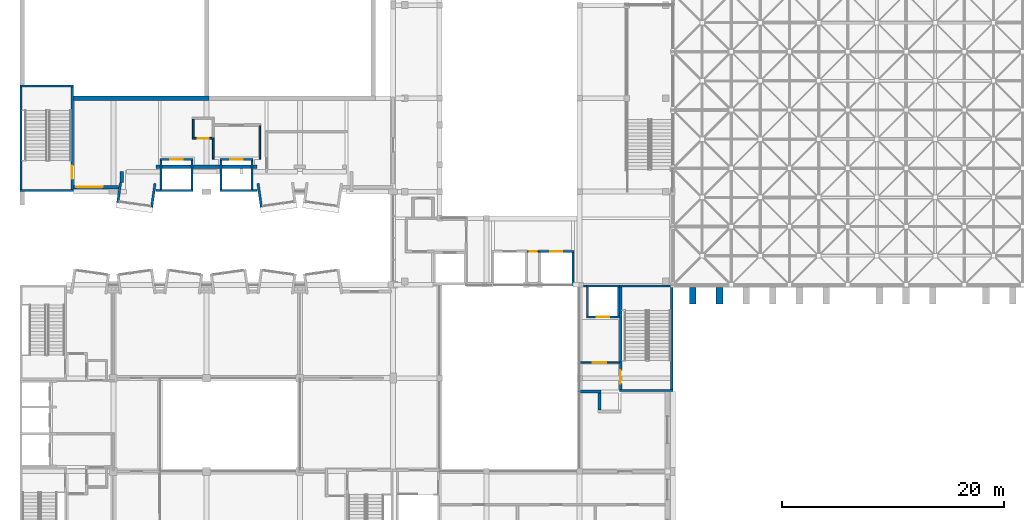
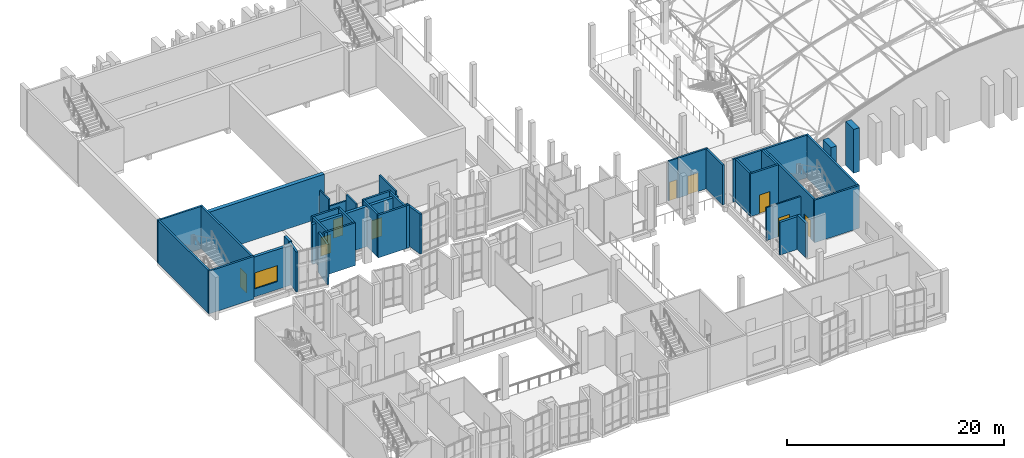
# One storey, part 67 of 100: 42 walls, 9 doors, 1 window, 10 openings.
"""IFC4 building model written with IfcOpenShell, lengths in metres."""

from ifc_helpers import new_model, si_unit, direction, frame, frame_2d, origin, place, context, subcontext, project, spatial, rectangle, extrude, material, layer, layer_set, type_object, element, fill, save


model = new_model("IFC4")

# Units and contexts
model_context = context("Model", 3, precision=1e-05, world=origin(), true_north=direction((0.0, 1.0)))
body_context = subcontext(model_context, "Body", "Model", "MODEL_VIEW")
ifc_project = project(units=[si_unit("LENGTHUNIT", "METRE"), si_unit("AREAUNIT", "SQUARE_METRE"), si_unit("VOLUMEUNIT", "CUBIC_METRE"), si_unit("PLANEANGLEUNIT", "RADIAN"), si_unit("MASSUNIT", "GRAM", prefix="KILO")], contexts=[model_context])

# Site, building, storey
site_placement = place(None, origin())
site = spatial("IfcSite", under=ifc_project, at=site_placement, CompositionType="ELEMENT")
building_placement = place(site_placement, origin())
building = spatial("IfcBuilding", under=site, at=building_placement, Name="Kiln Court Media Centre", CompositionType="ELEMENT")
storey_placement = place(building_placement, frame((0.0, 0.0, 15.0)))
storey = spatial("IfcBuildingStorey", under=building, at=storey_placement, Name="L03", CompositionType="ELEMENT", Elevation=15.0)

# Wall, opening, door
ifc_material_1 = material(Name="Concrete block masonry M7.5", Category="masonry")
ifc_layer_1 = layer(ifc_material_1, 0.14990234375)
ifc_layer_set_1 = layer_set([ifc_layer_1], Name="Block lobby wall 150 EI 120")
wall_type_1 = type_object("IfcWallType", Name="Block lobby wall 150 EI 120", PredefinedType="SOLIDWALL", material=ifc_layer_set_1)
wall_1_placement = place(storey_placement, frame((50.324951171875, 18.199951171875, 0.0), z_axis=(0.0, 0.0, 1.0), x_axis=(1.0, 0.0, 0.0)))
wall_1 = element("IfcWall", 1, at=wall_1_placement, inside=storey, type_object=wall_type_1, Name="L03 block lobby wall", PredefinedType="SOLIDWALL", context=body_context, shape_type="SweptSolid", body=[
    extrude(rectangle(XDim=3.675048828125, YDim=0.14990234375, at=frame_2d((1.83740234375, 0.0))), origin(), (0.0, 0.0, 1.0), 3.699951171875),
])
opening_1_placement = place(wall_1_placement, frame((1.27490234375, 0.0, 0.0)))
opening_1 = element("IfcOpeningElement", 2, at=opening_1_placement, cuts=wall_1, Name="Opening D3033", PredefinedType="OPENING", context=body_context, shape_type="SweptSolid", body=[
    extrude(rectangle(XDim=1.199951171875, YDim=2.10009765625, at=frame_2d((0.60009765625, 1.050048828125))), frame((0.0, 0.0849609375, 0.0), z_axis=(0.0, -1.0, 0.0), x_axis=(1.0, 0.0, 0.0)), (0.0, 0.0, 1.0), 0.169921875),
])
ifc_material_2 = material(Name="Steel S275", Category="steel")
door_type_1 = type_object("IfcDoorType", Name="Steel lobby door 1200 x 2100 FD120", OperationType="SINGLE_SWING_LEFT", PredefinedType="DOOR", material=ifc_material_2)
door_1_placement = place(opening_1_placement, origin())
door_1 = element("IfcDoor", 3, at=door_1_placement, inside=storey, type_object=door_type_1, Name="Stair 5 Lobby / Fire-fighting Lift Lobby", OperationType="SINGLE_SWING_RIGHT", OverallHeight=2.10009765625, OverallWidth=1.199951171875, PredefinedType="DOOR", context=body_context, shape_type="SweptSolid", body=[
    extrude(rectangle(XDim=1.199951171875, YDim=2.10009765625, at=frame_2d((0.60009765625, 1.050048828125))), frame((0.0, 0.02490234375, 0.0), z_axis=(0.0, -1.0, 0.0), x_axis=(1.0, 0.0, 0.0)), (0.0, 0.0, 1.0), 0.050048828125),
])
fill(opening_1, door_1)

# Walls
wall_2_placement = place(storey_placement, frame((17.39990234375, 36.52490234375, 0.0), z_axis=(0.0, 0.0, 1.0), x_axis=(0.0, 1.0, 0.0)))
element("IfcWall", 4, at=wall_2_placement, inside=storey, type_object=wall_type_1, Name="L03 block lobby wall", PredefinedType="SOLIDWALL", context=body_context, shape_type="SweptSolid", body=[
    extrude(rectangle(XDim=1.800048828125, YDim=0.14990234375, at=frame_2d((0.89990234375, 0.0))), origin(), (0.0, 0.0, 1.0), 4.5),
])
wall_3_placement = place(storey_placement, frame((21.60009765625, 36.52490234375, 0.0), z_axis=(0.0, 0.0, 1.0), x_axis=(0.0, 1.0, 0.0)))
element("IfcWall", 5, at=wall_3_placement, inside=storey, type_object=wall_type_1, Name="L03 block lobby wall", PredefinedType="SOLIDWALL", context=body_context, shape_type="SweptSolid", body=[
    extrude(rectangle(XDim=3.0, YDim=0.14990234375, at=frame_2d((1.5, 0.0))), origin(), (0.0, 0.0, 1.0), 4.5),
])

# Wall, opening, door
ifc_material_3 = material(Name="Concrete block masonry M10", Category="masonry")
ifc_layer_2 = layer(ifc_material_3, 0.14990234375)
ifc_layer_set_2 = layer_set([ifc_layer_2], Name="Block riser wall 150 EI 120")
wall_type_2 = type_object("IfcWallType", Name="Block riser wall 150 EI 120", PredefinedType="SOLIDWALL", material=ifc_layer_set_2)
wall_4_placement = place(storey_placement, frame((45.699951171875, 28.199951171875, 0.0), z_axis=(0.0, 0.0, 1.0), x_axis=(1.0, 0.0, 0.0)))
wall_4 = element("IfcWall", 6, at=wall_4_placement, inside=storey, type_object=wall_type_2, Name="L03 block riser wall", PredefinedType="SOLIDWALL", context=body_context, shape_type="SweptSolid", body=[
    extrude(rectangle(XDim=1.0, YDim=0.14990234375, at=frame_2d((0.5, 0.0))), origin(), (0.0, 0.0, 1.0), 4.5),
])
opening_2_placement = place(wall_4_placement, frame((0.10009765625, 0.0, 0.0)))
opening_2 = element("IfcOpeningElement", 7, at=opening_2_placement, cuts=wall_4, Name="Opening D3047", PredefinedType="OPENING", context=body_context, shape_type="SweptSolid", body=[
    extrude(rectangle(XDim=0.800048828125, YDim=2.10009765625, at=frame_2d((0.39990234375, 1.050048828125))), frame((0.0, 0.0849609375, 0.0), z_axis=(0.0, -1.0, 0.0), x_axis=(1.0, 0.0, 0.0)), (0.0, 0.0, 1.0), 0.169921875),
])
ifc_material_4 = material(Name="Steel S275", Category="steel")
door_type_2 = type_object("IfcDoorType", Name="Steel riser door 800 x 2100 FD90", OperationType="SINGLE_SWING_LEFT", PredefinedType="DOOR", material=ifc_material_4)
door_2_placement = place(opening_2_placement, origin())
door_2 = element("IfcDoor", 8, at=door_2_placement, inside=storey, type_object=door_type_2, Name="Riser / Glass Lift Landing", OperationType="SINGLE_SWING_RIGHT", OverallHeight=2.10009765625, OverallWidth=0.800048828125, PredefinedType="DOOR", context=body_context, shape_type="SweptSolid", body=[
    extrude(rectangle(XDim=0.800048828125, YDim=2.10009765625, at=frame_2d((0.39990234375, 1.050048828125))), frame((0.0, 0.02490234375, 0.0), z_axis=(0.0, -1.0, 0.0), x_axis=(1.0, 0.0, 0.0)), (0.0, 0.0, 1.0), 0.050048828125),
])
fill(opening_2, door_2)

# Walls
ifc_material_5 = material(Name="Brick masonry facing leaf with RC backing", Category="masonry")
ifc_layer_3 = layer(ifc_material_5, 0.215087890625)
ifc_layer_set_3 = layer_set([ifc_layer_3], Name="Brick masonry bay cheek wall 215")
wall_type_3 = type_object("IfcWallType", Name="Brick masonry bay cheek wall 215", PredefinedType="SOLIDWALL", material=ifc_layer_set_3)
wall_5_placement = place(storey_placement, frame((9.055908203125, 34.40869140625, 0.0), z_axis=(0.0, 0.0, 1.0), x_axis=(-0.13918000587, -0.990267098295, 0.0)))
element("IfcWall", 9, at=wall_5_placement, inside=storey, type_object=wall_type_3, Name="BAY V4-S-L03-17 cheek L", PredefinedType="SOLIDWALL", context=body_context, shape_type="SweptSolid", body=[
    extrude(rectangle(XDim=1.7998046875, YDim=0.215087890625, at=frame_2d((0.89990234375, 0.0))), origin(), (0.0, 0.0, 1.0), 4.5),
])
wall_6_placement = place(storey_placement, frame((12.162353515625, 34.344970703125, 0.0), z_axis=(0.0, 0.0, 1.0), x_axis=(-0.139120311566, -0.990275486372, 0.0)))
element("IfcWall", 10, at=wall_6_placement, inside=storey, type_object=wall_type_3, Name="BAY V4-S-L03-17 cheek R", PredefinedType="SOLIDWALL", context=body_context, shape_type="SweptSolid", body=[
    extrude(rectangle(XDim=2.1689453125, YDim=0.215087890625, at=frame_2d((1.08447265625, 0.0))), origin(), (0.0, 0.0, 1.0), 4.5),
])
wall_7_placement = place(storey_placement, frame((21.4375, 34.344970703125, 0.0), z_axis=(0.0, 0.0, 1.0), x_axis=(0.139230687381, -0.99025997379, 0.0)))
element("IfcWall", 11, at=wall_7_placement, inside=storey, type_object=wall_type_3, Name="BAY V4-S-L03-20 cheek L", PredefinedType="SOLIDWALL", context=body_context, shape_type="SweptSolid", body=[
    extrude(rectangle(XDim=2.169189453125, YDim=0.215087890625, at=frame_2d((1.08447265625, 0.0))), origin(), (0.0, 0.0, 1.0), 4.5),
])
ifc_material_6 = material(Name="Concrete C40/50", Category="concrete")
ifc_layer_4 = layer(ifc_material_6, 0.39990234375)
ifc_layer_set_4 = layer_set([ifc_layer_4], Name="Concrete C40/50 auditorium wall 400")
wall_type_4 = type_object("IfcWallType", Name="Concrete C40/50 auditorium wall 400", PredefinedType="SHEAR", material=ifc_layer_set_4)
wall_8_placement = place(storey_placement, frame((17.0, 42.0, 0.0), z_axis=(0.0, 0.0, 1.0), x_axis=(-1.0, 0.0, 0.0)))
element("IfcWall", 12, at=wall_8_placement, inside=storey, type_object=wall_type_4, Name="L03-W-1074", PredefinedType="SHEAR", context=body_context, shape_type="SweptSolid", body=[
    extrude(rectangle(XDim=12.199951171875, YDim=0.39990234375, at=frame_2d((6.10009765625, 0.0))), origin(), (0.0, 0.0, 1.0), 4.800048828125),
])

# Wall, opening, window
ifc_material_7 = material(Name="Concrete C40/50", Category="concrete")
ifc_layer_5 = layer(ifc_material_7, 0.300048828125)
ifc_layer_set_5 = layer_set([ifc_layer_5], Name="Concrete C40/50 board-marked facade wall 300")
wall_type_5 = type_object("IfcWallType", Name="Concrete C40/50 board-marked facade wall 300", PredefinedType="SOLIDWALL", material=ifc_layer_set_5)
wall_9_placement = place(storey_placement, frame((8.869384765625, 34.0, 0.0), z_axis=(0.0, 0.0, 1.0), x_axis=(-1.0, 0.0, 0.0)))
wall_9 = element("IfcWall", 13, at=wall_9_placement, inside=storey, type_object=wall_type_5, Name="V4 S facade wall 4000", PredefinedType="SOLIDWALL", context=body_context, shape_type="SweptSolid", body=[
    extrude(rectangle(XDim=4.0693359375, YDim=0.300048828125, at=frame_2d((2.03466796875, 0.0))), origin(), (0.0, 0.0, 1.0), 4.5),
])
opening_3_placement = place(wall_9_placement, frame((1.4111328125, 0.0, 0.89990234375)))
opening_3 = element("IfcOpeningElement", 14, at=opening_3_placement, cuts=wall_9, Name="Opening WN3500", PredefinedType="OPENING", context=body_context, shape_type="SweptSolid", body=[
    extrude(rectangle(XDim=2.39990234375, YDim=1.800048828125, at=frame_2d((1.199951171875, 0.89990234375))), frame((0.0, 0.159912109375, 0.0), z_axis=(0.0, -1.0, 0.0), x_axis=(1.0, 0.0, 0.0)), (0.0, 0.0, 1.0), 0.320068359375),
])
ifc_material_8 = material(Name="Aluminium 6063-T6", Category="aluminium")
window_type = type_object("IfcWindowType", Name="Aluminium lobby window 2400x1800", PartitioningType="TRIPLE_PANEL_VERTICAL", PredefinedType="WINDOW", material=ifc_material_8)
window_placement = place(opening_3_placement, origin())
window = element("IfcWindow", 15, at=window_placement, inside=storey, type_object=window_type, Name="V4 S lounge window", OverallHeight=1.800048828125, OverallWidth=2.39990234375, PartitioningType="SINGLE_PANEL", PredefinedType="WINDOW", context=body_context, shape_type="SweptSolid", body=[
    extrude(rectangle(XDim=2.39990234375, YDim=1.800048828125, at=frame_2d((1.199951171875, 0.89990234375))), frame((0.0, 0.030029296875, 0.0), z_axis=(0.0, -1.0, 0.0), x_axis=(1.0, 0.0, 0.0)), (0.0, 0.0, 1.0), 0.06005859375),
])
fill(opening_3, window)

# Walls
wall_10_placement = place(storey_placement, frame((9.14990234375, 35.39990234375, 0.0), z_axis=(0.0, 0.0, 1.0), x_axis=(0.0, -1.0, 0.0)))
element("IfcWall", 16, at=wall_10_placement, inside=storey, type_object=wall_type_5, Name="V4 E facade wall 4001", PredefinedType="SOLIDWALL", context=body_context, shape_type="SweptSolid", body=[
    extrude(rectangle(XDim=0.983642578125, YDim=0.300048828125, at=frame_2d((0.49169921875, 0.0))), origin(), (0.0, 0.0, 1.0), 4.5),
])
wall_11_placement = place(storey_placement, frame((21.3564453125, 35.85009765625, 0.0), z_axis=(0.0, 0.0, 1.0), x_axis=(-1.0, 0.0, 0.0)))
element("IfcWall", 17, at=wall_11_placement, inside=storey, type_object=wall_type_5, Name="V4 S facade wall 4002", PredefinedType="SOLIDWALL", context=body_context, shape_type="SweptSolid", body=[
    extrude(rectangle(XDim=9.113037109375, YDim=0.300048828125, at=frame_2d((4.556640625, 0.0))), origin(), (0.0, 0.0, 1.0), 4.5),
])
ifc_material_9 = material(Name="Concrete C40/50", Category="concrete")
ifc_layer_6 = layer(ifc_material_9, 0.60009765625)
ifc_layer_set_6 = layer_set([ifc_layer_6], Name="Concrete C40/50 cast rib 600x1500")
wall_type_6 = type_object("IfcWallType", Name="Concrete C40/50 cast rib 600x1500", PredefinedType="SOLIDWALL", material=ifc_layer_set_6)
wall_12_placement = place(storey_placement, frame((60.60009765625, 24.9736328125, 0.0), z_axis=(0.0, 0.0, 1.0), x_axis=(0.0, -1.0, 0.0)))
element("IfcWall", 18, at=wall_12_placement, inside=storey, type_object=wall_type_6, Name="V1 S gable rib", PredefinedType="SOLIDWALL", context=body_context, shape_type="SweptSolid", body=[
    extrude(rectangle(XDim=1.5, YDim=0.60009765625, at=frame_2d((0.75, 0.0))), origin(), (0.0, 0.0, 1.0), 3.72998046875),
])
wall_13_placement = place(storey_placement, frame((63.0, 24.9736328125, 0.0), z_axis=(0.0, 0.0, 1.0), x_axis=(0.0, -1.0, 0.0)))
element("IfcWall", 19, at=wall_13_placement, inside=storey, type_object=wall_type_6, Name="V1 S gable rib", PredefinedType="SOLIDWALL", context=body_context, shape_type="SweptSolid", body=[
    extrude(rectangle(XDim=1.5, YDim=0.60009765625, at=frame_2d((0.75, 0.0))), origin(), (0.0, 0.0, 1.0), 4.929931640625),
])

# Wall, opening, door
ifc_material_10 = material(Name="Concrete C40/50", Category="concrete")
ifc_layer_7 = layer(ifc_material_10, 0.199951171875)
ifc_layer_set_7 = layer_set([ifc_layer_7], Name="Concrete C40/50 lift shaft wall 200 EI 240")
wall_type_7 = type_object("IfcWallType", Name="Concrete C40/50 lift shaft wall 200 EI 240", PredefinedType="SHEAR", material=ifc_layer_set_7)
wall_14_placement = place(storey_placement, frame((46.699951171875, 28.199951171875, 0.0), z_axis=(0.0, 0.0, 1.0), x_axis=(1.0, 0.0, 0.0)))
wall_14 = element("IfcWall", 20, at=wall_14_placement, inside=storey, type_object=wall_type_7, Name="L03 concrete c40/50 lift shaft wall", PredefinedType="SHEAR", context=body_context, shape_type="SweptSolid", body=[
    extrude(rectangle(XDim=3.199951171875, YDim=0.199951171875, at=frame_2d((1.60009765625, 0.0))), origin(), (0.0, 0.0, 1.0), 4.5),
])
opening_4_placement = place(wall_14_placement, frame((1.050048828125, 0.0, 0.0)))
opening_4 = element("IfcOpeningElement", 21, at=opening_4_placement, cuts=wall_14, Name="Opening LD308", PredefinedType="OPENING", context=body_context, shape_type="SweptSolid", body=[
    extrude(rectangle(XDim=1.10009765625, YDim=2.10009765625, at=frame_2d((0.550048828125, 1.050048828125))), frame((0.0, 0.10986328125, 0.0), z_axis=(0.0, -1.0, 0.0), x_axis=(1.0, 0.0, 0.0)), (0.0, 0.0, 1.0), 0.219970703125),
])
ifc_material_11 = material(Name="Stainless steel", Category="steel")
door_type_3 = type_object("IfcDoorType", Name="Lift landing door 1100 x 2100 FD120", OperationType="SLIDING_TO_LEFT", PredefinedType="DOOR", material=ifc_material_11)
door_3_placement = place(opening_4_placement, origin())
door_3 = element("IfcDoor", 22, at=door_3_placement, inside=storey, type_object=door_type_3, Name="LF-08 landing door L03", OperationType="SLIDING_TO_LEFT", OverallHeight=2.10009765625, OverallWidth=1.10009765625, PredefinedType="DOOR", context=body_context, shape_type="SweptSolid", body=[
    extrude(rectangle(XDim=1.10009765625, YDim=2.10009765625, at=frame_2d((0.550048828125, 1.050048828125))), frame((0.0, 0.02490234375, 0.0), z_axis=(0.0, -1.0, 0.0), x_axis=(1.0, 0.0, 0.0)), (0.0, 0.0, 1.0), 0.050048828125),
])
fill(opening_4, door_3)

# Walls
wall_15_placement = place(storey_placement, frame((49.800048828125, 25.10009765625, 0.0), z_axis=(0.0, 0.0, 1.0), x_axis=(0.0, 1.0, 0.0)))
element("IfcWall", 23, at=wall_15_placement, inside=storey, type_object=wall_type_7, Name="L03 concrete c40/50 lift shaft wall", PredefinedType="SHEAR", context=body_context, shape_type="SweptSolid", body=[
    extrude(rectangle(XDim=3.0, YDim=0.199951171875, at=frame_2d((1.5, 0.0))), origin(), (0.0, 0.0, 1.0), 4.5),
])
ifc_material_12 = material(Name="Concrete C40/50", Category="concrete")
ifc_layer_8 = layer(ifc_material_12, 0.199951171875)
ifc_layer_set_8 = layer_set([ifc_layer_8], Name="Concrete C40/50 shear wall 200")
wall_type_8 = type_object("IfcWallType", Name="Concrete C40/50 shear wall 200", PredefinedType="SHEAR", material=ifc_layer_set_8)
for number, where, z_axis, x_axis, name in (
    (24, (58.800048828125, 15.699951171875, 0.0), (0.0, 0.0, 1.0), (-1.0, 0.0, 0.0), "L03-W-1016"),
    (25, (54.0, 25.10009765625, 0.0), (0.0, 0.0, 1.0), (1.0, 0.0, 0.0), "L03-W-1017"),
):
    element("IfcWall", number, at=place(storey_placement, frame(where, z_axis=z_axis, x_axis=x_axis)), inside=storey, type_object=wall_type_8, Name=name, PredefinedType="SHEAR", context=body_context, shape_type="SweptSolid", body=[
        extrude(rectangle(XDim=4.800048828125, YDim=0.199951171875, at=frame_2d((2.39990234375, 0.0))), origin(), (0.0, 0.0, 1.0), 4.800048828125),
    ])

# Wall, opening, door
wall_16_placement = place(storey_placement, frame((54.10009765625, 15.800048828125, 0.0), z_axis=(0.0, 0.0, 1.0), x_axis=(0.0, 1.0, 0.0)))
wall_16 = element("IfcWall", 26, at=wall_16_placement, inside=storey, type_object=wall_type_8, Name="L03-W-1018", PredefinedType="SHEAR", context=body_context, shape_type="SweptSolid", body=[
    extrude(rectangle(XDim=9.199951171875, YDim=0.199951171875, at=frame_2d((4.60009765625, 0.0))), origin(), (0.0, 0.0, 1.0), 4.800048828125),
])
opening_5_placement = place(wall_16_placement, frame((0.5, 0.0, 0.0)))
opening_5 = element("IfcOpeningElement", 27, at=opening_5_placement, cuts=wall_16, Name="Opening D3012", PredefinedType="OPENING", context=body_context, shape_type="SweptSolid", body=[
    extrude(rectangle(XDim=1.199951171875, YDim=2.10009765625, at=frame_2d((0.60009765625, 1.050048828125))), frame((0.0, 0.10986328125, 0.0), z_axis=(0.0, -1.0, 0.0), x_axis=(1.0, 0.0, 0.0)), (0.0, 0.0, 1.0), 0.219970703125),
])
ifc_material_13 = material(Name="Steel S275", Category="steel")
door_type_4 = type_object("IfcDoorType", Name="Steel stair door 1200 x 2100 FD180", OperationType="SINGLE_SWING_LEFT", PredefinedType="DOOR", material=ifc_material_13)
door_4_placement = place(opening_5_placement, origin())
door_4 = element("IfcDoor", 28, at=door_4_placement, inside=storey, type_object=door_type_4, Name="Stair 5 Lobby / Stair 5", OperationType="SINGLE_SWING_LEFT", OverallHeight=2.10009765625, OverallWidth=1.199951171875, PredefinedType="DOOR", context=body_context, shape_type="SweptSolid", body=[
    extrude(rectangle(XDim=1.199951171875, YDim=2.10009765625, at=frame_2d((0.60009765625, 1.050048828125))), frame((0.0, 0.02490234375, 0.0), z_axis=(0.0, -1.0, 0.0), x_axis=(1.0, 0.0, 0.0)), (0.0, 0.0, 1.0), 0.050048828125),
])
fill(opening_5, door_4)

# Walls
wall_17_placement = place(storey_placement, frame((58.699951171875, 25.0, 0.0), z_axis=(0.0, 0.0, 1.0), x_axis=(0.0, -1.0, 0.0)))
element("IfcWall", 29, at=wall_17_placement, inside=storey, type_object=wall_type_8, Name="L03-W-1019", PredefinedType="SHEAR", context=body_context, shape_type="SweptSolid", body=[
    extrude(rectangle(XDim=9.199951171875, YDim=0.199951171875, at=frame_2d((4.60009765625, 0.0))), origin(), (0.0, 0.0, 1.0), 4.800048828125),
])
for number, where, z_axis, x_axis, name in (
    (30, (4.800048828125, 33.699951171875, 0.0), (0.0, 0.0, 1.0), (-1.0, 0.0, 0.0), "L03-W-1020"),
    (31, (0.00048828125, 43.10009765625, 0.0), (0.0, 0.0, 1.0), (1.0, 0.0, 0.0), "L03-W-1021"),
):
    element("IfcWall", number, at=place(storey_placement, frame(where, z_axis=z_axis, x_axis=x_axis)), inside=storey, type_object=wall_type_8, Name=name, PredefinedType="SHEAR", context=body_context, shape_type="SweptSolid", body=[
        extrude(rectangle(XDim=4.799560546875, YDim=0.199951171875, at=frame_2d((2.39990234375, 0.0))), origin(), (0.0, 0.0, 1.0), 4.800048828125),
    ])
wall_18_placement = place(storey_placement, frame((0.100341796875, 33.800048828125, 0.0), z_axis=(0.0, 0.0, 1.0), x_axis=(0.0, 1.0, 0.0)))
element("IfcWall", 32, at=wall_18_placement, inside=storey, type_object=wall_type_8, Name="L03-W-1022", PredefinedType="SHEAR", context=body_context, shape_type="SweptSolid", body=[
    extrude(rectangle(XDim=9.199951171875, YDim=0.199951171875, at=frame_2d((4.60009765625, 0.0))), origin(), (0.0, 0.0, 1.0), 4.800048828125),
])

# Wall, opening, door
wall_19_placement = place(storey_placement, frame((4.699951171875, 43.0, 0.0), z_axis=(0.0, 0.0, 1.0), x_axis=(0.0, -1.0, 0.0)))
wall_19 = element("IfcWall", 33, at=wall_19_placement, inside=storey, type_object=wall_type_8, Name="L03-W-1023", PredefinedType="SHEAR", context=body_context, shape_type="SweptSolid", body=[
    extrude(rectangle(XDim=9.199951171875, YDim=0.199951171875, at=frame_2d((4.60009765625, 0.0))), origin(), (0.0, 0.0, 1.0), 4.800048828125),
])
opening_6_placement = place(wall_19_placement, frame((7.050048828125, 0.0, 0.0)))
opening_6 = element("IfcOpeningElement", 34, at=opening_6_placement, cuts=wall_19, Name="Opening D3001", PredefinedType="OPENING", context=body_context, shape_type="SweptSolid", body=[
    extrude(rectangle(XDim=1.199951171875, YDim=2.10009765625, at=frame_2d((0.60009765625, 1.050048828125))), frame((0.0, 0.10986328125, 0.0), z_axis=(0.0, -1.0, 0.0), x_axis=(1.0, 0.0, 0.0)), (0.0, 0.0, 1.0), 0.219970703125),
])
door_5_placement = place(opening_6_placement, origin())
door_5 = element("IfcDoor", 35, at=door_5_placement, inside=storey, type_object=door_type_4, Name="Stair 6 / Cinema Lounge", OperationType="SINGLE_SWING_LEFT", OverallHeight=2.10009765625, OverallWidth=1.199951171875, PredefinedType="DOOR", context=body_context, shape_type="SweptSolid", body=[
    extrude(rectangle(XDim=1.199951171875, YDim=2.10009765625, at=frame_2d((0.60009765625, 1.050048828125))), frame((0.0, 0.02490234375, 0.0), z_axis=(0.0, -1.0, 0.0), x_axis=(1.0, 0.0, 0.0)), (0.0, 0.0, 1.0), 0.050048828125),
])
fill(opening_6, door_5)

wall_20_placement = place(storey_placement, frame((54.0, 22.300048828125, 0.0), z_axis=(0.0, 0.0, 1.0), x_axis=(-1.0, 0.0, 0.0)))
wall_20 = element("IfcWall", 36, at=wall_20_placement, inside=storey, type_object=wall_type_8, Name="L03-W-1050", PredefinedType="SHEAR", context=body_context, shape_type="SweptSolid", body=[
    extrude(rectangle(XDim=3.0, YDim=0.199951171875, at=frame_2d((1.5, 0.0))), origin(), (0.0, 0.0, 1.0), 4.800048828125),
])
opening_7_placement = place(wall_20_placement, frame((0.949951171875, 0.0, 0.0)))
opening_7 = element("IfcOpeningElement", 37, at=opening_7_placement, cuts=wall_20, Name="Opening LD304", PredefinedType="OPENING", context=body_context, shape_type="SweptSolid", body=[
    extrude(rectangle(XDim=1.10009765625, YDim=2.10009765625, at=frame_2d((0.550048828125, 1.050048828125))), frame((0.0, 0.10986328125, 0.0), z_axis=(0.0, -1.0, 0.0), x_axis=(1.0, 0.0, 0.0)), (0.0, 0.0, 1.0), 0.219970703125),
])
ifc_material_14 = material(Name="Stainless steel", Category="steel")
door_type_5 = type_object("IfcDoorType", Name="Firefighting lift landing door 1100 x 2100 FD120", OperationType="SLIDING_TO_LEFT", PredefinedType="DOOR", material=ifc_material_14)
door_6_placement = place(opening_7_placement, origin())
door_6 = element("IfcDoor", 38, at=door_6_placement, inside=storey, type_object=door_type_5, Name="LF-04 landing door L03", OperationType="SLIDING_TO_LEFT", OverallHeight=2.10009765625, OverallWidth=1.10009765625, PredefinedType="DOOR", context=body_context, shape_type="SweptSolid", body=[
    extrude(rectangle(XDim=1.10009765625, YDim=2.10009765625, at=frame_2d((0.550048828125, 1.050048828125))), frame((0.0, 0.02490234375, 0.0), z_axis=(0.0, -1.0, 0.0), x_axis=(1.0, 0.0, 0.0)), (0.0, 0.0, 1.0), 0.050048828125),
])
fill(opening_7, door_6)

# Walls
wall_21_placement = place(storey_placement, frame((51.0, 25.10009765625, 0.0), z_axis=(0.0, 0.0, 1.0), x_axis=(1.0, 0.0, 0.0)))
element("IfcWall", 39, at=wall_21_placement, inside=storey, type_object=wall_type_8, Name="L03-W-1051", PredefinedType="SHEAR", context=body_context, shape_type="SweptSolid", body=[
    extrude(rectangle(XDim=3.0, YDim=0.199951171875, at=frame_2d((1.5, 0.0))), origin(), (0.0, 0.0, 1.0), 4.800048828125),
])
for number, where, z_axis, x_axis, name in (
    (40, (51.10009765625, 22.39990234375, 0.0), (0.0, 0.0, 1.0), (0.0, 1.0, 0.0), "L03-W-1052"),
    (41, (53.89990234375, 25.0, 0.0), (0.0, 0.0, 1.0), (0.0, -1.0, 0.0), "L03-W-1053"),
):
    element("IfcWall", number, at=place(storey_placement, frame(where, z_axis=z_axis, x_axis=x_axis)), inside=storey, type_object=wall_type_8, Name=name, PredefinedType="SHEAR", context=body_context, shape_type="SweptSolid", body=[
        extrude(rectangle(XDim=2.60009765625, YDim=0.199951171875, at=frame_2d((1.300048828125, 0.0))), origin(), (0.0, 0.0, 1.0), 4.800048828125),
    ])
wall_22_placement = place(storey_placement, frame((15.60009765625, 33.699951171875, 0.0), z_axis=(0.0, 0.0, 1.0), x_axis=(-1.0, 0.0, 0.0)))
element("IfcWall", 42, at=wall_22_placement, inside=storey, type_object=wall_type_8, Name="L03-W-1054", PredefinedType="SHEAR", context=body_context, shape_type="SweptSolid", body=[
    extrude(rectangle(XDim=3.0, YDim=0.199951171875, at=frame_2d((1.5, 0.0))), origin(), (0.0, 0.0, 1.0), 4.800048828125),
])

# Wall, opening, door
wall_23_placement = place(storey_placement, frame((12.60009765625, 36.5, 0.0), z_axis=(0.0, 0.0, 1.0), x_axis=(1.0, 0.0, 0.0)))
wall_23 = element("IfcWall", 43, at=wall_23_placement, inside=storey, type_object=wall_type_8, Name="L03-W-1055", PredefinedType="SHEAR", context=body_context, shape_type="SweptSolid", body=[
    extrude(rectangle(XDim=3.0, YDim=0.199951171875, at=frame_2d((1.5, 0.0))), origin(), (0.0, 0.0, 1.0), 4.800048828125),
])
opening_8_placement = place(wall_23_placement, frame((0.949951171875, 0.0, 0.0)))
opening_8 = element("IfcOpeningElement", 44, at=opening_8_placement, cuts=wall_23, Name="Opening LD305", PredefinedType="OPENING", context=body_context, shape_type="SweptSolid", body=[
    extrude(rectangle(XDim=1.10009765625, YDim=2.10009765625, at=frame_2d((0.550048828125, 1.050048828125))), frame((0.0, 0.10986328125, 0.0), z_axis=(0.0, -1.0, 0.0), x_axis=(1.0, 0.0, 0.0)), (0.0, 0.0, 1.0), 0.219970703125),
])
door_7_placement = place(opening_8_placement, origin())
door_7 = element("IfcDoor", 45, at=door_7_placement, inside=storey, type_object=door_type_3, Name="LF-05 landing door L03", OperationType="SLIDING_TO_LEFT", OverallHeight=2.10009765625, OverallWidth=1.10009765625, PredefinedType="DOOR", context=body_context, shape_type="SweptSolid", body=[
    extrude(rectangle(XDim=1.10009765625, YDim=2.10009765625, at=frame_2d((0.550048828125, 1.050048828125))), frame((0.0, 0.02490234375, 0.0), z_axis=(0.0, -1.0, 0.0), x_axis=(1.0, 0.0, 0.0)), (0.0, 0.0, 1.0), 0.050048828125),
])
fill(opening_8, door_7)

# Walls
for number, where, z_axis, x_axis, name in (
    (46, (12.699951171875, 33.800048828125, 0.0), (0.0, 0.0, 1.0), (0.0, 1.0, 0.0), "L03-W-1056"),
    (47, (15.5, 36.39990234375, 0.0), (0.0, 0.0, 1.0), (0.0, -1.0, 0.0), "L03-W-1057"),
):
    element("IfcWall", number, at=place(storey_placement, frame(where, z_axis=z_axis, x_axis=x_axis)), inside=storey, type_object=wall_type_8, Name=name, PredefinedType="SHEAR", context=body_context, shape_type="SweptSolid", body=[
        extrude(rectangle(XDim=2.599853515625, YDim=0.199951171875, at=frame_2d((1.2998046875, 0.0))), origin(), (0.0, 0.0, 1.0), 4.800048828125),
    ])
wall_24_placement = place(storey_placement, frame((21.0, 33.699951171875, 0.0), z_axis=(0.0, 0.0, 1.0), x_axis=(-1.0, 0.0, 0.0)))
element("IfcWall", 48, at=wall_24_placement, inside=storey, type_object=wall_type_8, Name="L03-W-1058", PredefinedType="SHEAR", context=body_context, shape_type="SweptSolid", body=[
    extrude(rectangle(XDim=3.0, YDim=0.199951171875, at=frame_2d((1.5, 0.0))), origin(), (0.0, 0.0, 1.0), 4.800048828125),
])

# Wall, opening, door
wall_25_placement = place(storey_placement, frame((18.0, 36.5, 0.0), z_axis=(0.0, 0.0, 1.0), x_axis=(1.0, 0.0, 0.0)))
wall_25 = element("IfcWall", 49, at=wall_25_placement, inside=storey, type_object=wall_type_8, Name="L03-W-1059", PredefinedType="SHEAR", context=body_context, shape_type="SweptSolid", body=[
    extrude(rectangle(XDim=3.0, YDim=0.199951171875, at=frame_2d((1.5, 0.0))), origin(), (0.0, 0.0, 1.0), 4.800048828125),
])
opening_9_placement = place(wall_25_placement, frame((0.949951171875, 0.0, 0.0)))
opening_9 = element("IfcOpeningElement", 50, at=opening_9_placement, cuts=wall_25, Name="Opening LD306", PredefinedType="OPENING", context=body_context, shape_type="SweptSolid", body=[
    extrude(rectangle(XDim=1.10009765625, YDim=2.10009765625, at=frame_2d((0.550048828125, 1.050048828125))), frame((0.0, 0.10986328125, 0.0), z_axis=(0.0, -1.0, 0.0), x_axis=(1.0, 0.0, 0.0)), (0.0, 0.0, 1.0), 0.219970703125),
])
door_8_placement = place(opening_9_placement, origin())
door_8 = element("IfcDoor", 51, at=door_8_placement, inside=storey, type_object=door_type_5, Name="LF-06 landing door L03", OperationType="SLIDING_TO_LEFT", OverallHeight=2.10009765625, OverallWidth=1.10009765625, PredefinedType="DOOR", context=body_context, shape_type="SweptSolid", body=[
    extrude(rectangle(XDim=1.10009765625, YDim=2.10009765625, at=frame_2d((0.550048828125, 1.050048828125))), frame((0.0, 0.02490234375, 0.0), z_axis=(0.0, -1.0, 0.0), x_axis=(1.0, 0.0, 0.0)), (0.0, 0.0, 1.0), 0.050048828125),
])
fill(opening_9, door_8)

# Walls
for number, where, z_axis, x_axis, name in (
    (52, (18.10009765625, 33.800048828125, 0.0), (0.0, 0.0, 1.0), (0.0, 1.0, 0.0), "L03-W-1060"),
    (53, (20.89990234375, 36.39990234375, 0.0), (0.0, 0.0, 1.0), (0.0, -1.0, 0.0), "L03-W-1061"),
):
    element("IfcWall", number, at=place(storey_placement, frame(where, z_axis=z_axis, x_axis=x_axis)), inside=storey, type_object=wall_type_8, Name=name, PredefinedType="SHEAR", context=body_context, shape_type="SweptSolid", body=[
        extrude(rectangle(XDim=2.599853515625, YDim=0.199951171875, at=frame_2d((1.2998046875, 0.0))), origin(), (0.0, 0.0, 1.0), 4.800048828125),
    ])
wall_26_placement = place(storey_placement, frame((12.60009765625, 33.699951171875, 0.0), z_axis=(0.0, 0.0, 1.0), x_axis=(-1.0, 0.0, 0.0)))
element("IfcWall", 54, at=wall_26_placement, inside=storey, type_object=wall_type_8, Name="L03-W-1089", PredefinedType="SHEAR", context=body_context, shape_type="SweptSolid", body=[
    extrude(rectangle(XDim=0.333984375, YDim=0.199951171875, at=frame_2d((0.1669921875, 0.0))), origin(), (0.0, 0.0, 1.0), 4.800048828125),
])
wall_27_placement = place(storey_placement, frame((21.333740234375, 33.699951171875, 0.0), z_axis=(0.0, 0.0, 1.0), x_axis=(-1.0, 0.0, 0.0)))
element("IfcWall", 55, at=wall_27_placement, inside=storey, type_object=wall_type_8, Name="L03-W-1090", PredefinedType="SHEAR", context=body_context, shape_type="SweptSolid", body=[
    extrude(rectangle(XDim=0.333740234375, YDim=0.199951171875, at=frame_2d((0.1669921875, 0.0))), origin(), (0.0, 0.0, 1.0), 4.800048828125),
])
wall_28_placement = place(storey_placement, frame((50.75, 25.10009765625, 0.0), z_axis=(0.0, 0.0, 1.0), x_axis=(1.0, 0.0, 0.0)))
element("IfcWall", 56, at=wall_28_placement, inside=storey, type_object=wall_type_8, Name="L03-W-1097", PredefinedType="SHEAR", context=body_context, shape_type="SweptSolid", body=[
    extrude(rectangle(XDim=0.25, YDim=0.199951171875, at=frame_2d((0.125, 0.0))), origin(), (0.0, 0.0, 1.0), 4.800048828125),
])
ifc_material_15 = material(Name="Gypsum plasterboard", Category="gypsum")
ifc_layer_9 = layer(ifc_material_15, 0.25)
ifc_layer_set_9 = layer_set([ifc_layer_9], Name="Double-leaf acoustic wall 250 EI 120")
wall_type_9 = type_object("IfcWallType", Name="Double-leaf acoustic wall 250 EI 120", PredefinedType="PARTITIONING", material=ifc_layer_set_9)
wall_29_placement = place(storey_placement, frame((50.27490234375, 15.60009765625, 0.0), z_axis=(0.0, 0.0, 1.0), x_axis=(1.0, 0.0, 0.0)))
element("IfcWall", 57, at=wall_29_placement, inside=storey, type_object=wall_type_9, Name="L03 double-leaf acoustic wall", PredefinedType="PARTITIONING", context=body_context, shape_type="SweptSolid", body=[
    extrude(rectangle(XDim=2.050048828125, YDim=0.25, at=frame_2d((1.02490234375, 0.0))), origin(), (0.0, 0.0, 1.0), 3.699951171875),
])
wall_30_placement = place(storey_placement, frame((52.199951171875, 13.925048828125, 0.0), z_axis=(0.0, 0.0, 1.0), x_axis=(0.0, 1.0, 0.0)))
element("IfcWall", 58, at=wall_30_placement, inside=storey, type_object=wall_type_9, Name="L03 double-leaf acoustic wall", PredefinedType="PARTITIONING", context=body_context, shape_type="SweptSolid", body=[
    extrude(rectangle(XDim=1.550048828125, YDim=0.25, at=frame_2d((0.77490234375, 0.0))), origin(), (0.0, 0.0, 1.0), 3.89990234375),
])

# Wall, opening, door
ifc_material_16 = material(Name="Gypsum plasterboard", Category="gypsum")
ifc_layer_10 = layer(ifc_material_16, 0.14990234375)
ifc_layer_set_10 = layer_set([ifc_layer_10], Name="Gypsum corridor partition 150 EI 60")
wall_type_10 = type_object("IfcWallType", Name="Gypsum corridor partition 150 EI 60", PredefinedType="PARTITIONING", material=ifc_layer_set_10)
wall_31_placement = place(storey_placement, frame((15.52490234375, 38.39990234375, 0.0), z_axis=(0.0, 0.0, 1.0), x_axis=(1.0, 0.0, 0.0)))
wall_31 = element("IfcWall", 59, at=wall_31_placement, inside=storey, type_object=wall_type_10, Name="L03 gypsum corridor partition", PredefinedType="PARTITIONING", context=body_context, shape_type="SweptSolid", body=[
    extrude(rectangle(XDim=1.9501953125, YDim=0.14990234375, at=frame_2d((0.97509765625, 0.0))), origin(), (0.0, 0.0, 1.0), 3.800048828125),
])
opening_10_placement = place(wall_31_placement, frame((0.47509765625, 0.0, 0.0)))
opening_10 = element("IfcOpeningElement", 60, at=opening_10_placement, cuts=wall_31, Name="Opening D3037", PredefinedType="OPENING", context=body_context, shape_type="SweptSolid", body=[
    extrude(rectangle(XDim=1.0, YDim=2.10009765625, at=frame_2d((0.5, 1.050048828125))), frame((0.0, 0.0849609375, 0.0), z_axis=(0.0, -1.0, 0.0), x_axis=(1.0, 0.0, 0.0)), (0.0, 0.0, 1.0), 0.169921875),
])
ifc_material_17 = material(Name="Steel S275", Category="steel")
door_type_6 = type_object("IfcDoorType", Name="Steel corridor door 1000 x 2100 FD30S", OperationType="SINGLE_SWING_LEFT", PredefinedType="DOOR", material=ifc_material_17)
door_9_placement = place(opening_10_placement, origin())
door_9 = element("IfcDoor", 61, at=door_9_placement, inside=storey, type_object=door_type_6, Name="Mezzanine Lobby / Wheelchair Refuge", OperationType="SINGLE_SWING_RIGHT", OverallHeight=2.10009765625, OverallWidth=1.0, PredefinedType="DOOR", context=body_context, shape_type="SweptSolid", body=[
    extrude(rectangle(XDim=1.0, YDim=2.10009765625, at=frame_2d((0.5, 1.050048828125))), frame((0.0, 0.02490234375, 0.0), z_axis=(0.0, -1.0, 0.0), x_axis=(1.0, 0.0, 0.0)), (0.0, 0.0, 1.0), 0.050048828125),
])
fill(opening_10, door_9)

# Wall
wall_32_placement = place(storey_placement, frame((15.60009765625, 38.47509765625, 0.0), z_axis=(0.0, 0.0, 1.0), x_axis=(0.0, 1.0, 0.0)))
element("IfcWall", 62, at=wall_32_placement, inside=storey, type_object=wall_type_10, Name="L03 gypsum corridor partition", PredefinedType="PARTITIONING", context=body_context, shape_type="SweptSolid", body=[
    extrude(rectangle(XDim=1.64990234375, YDim=0.14990234375, at=frame_2d((0.824951171875, 0.0))), origin(), (0.0, 0.0, 1.0), 4.5),
])

save(model, "model.ifc")
